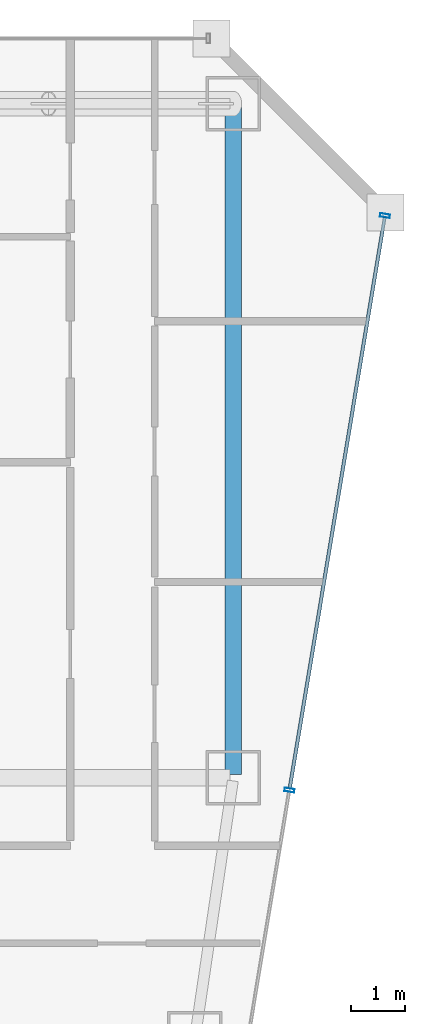
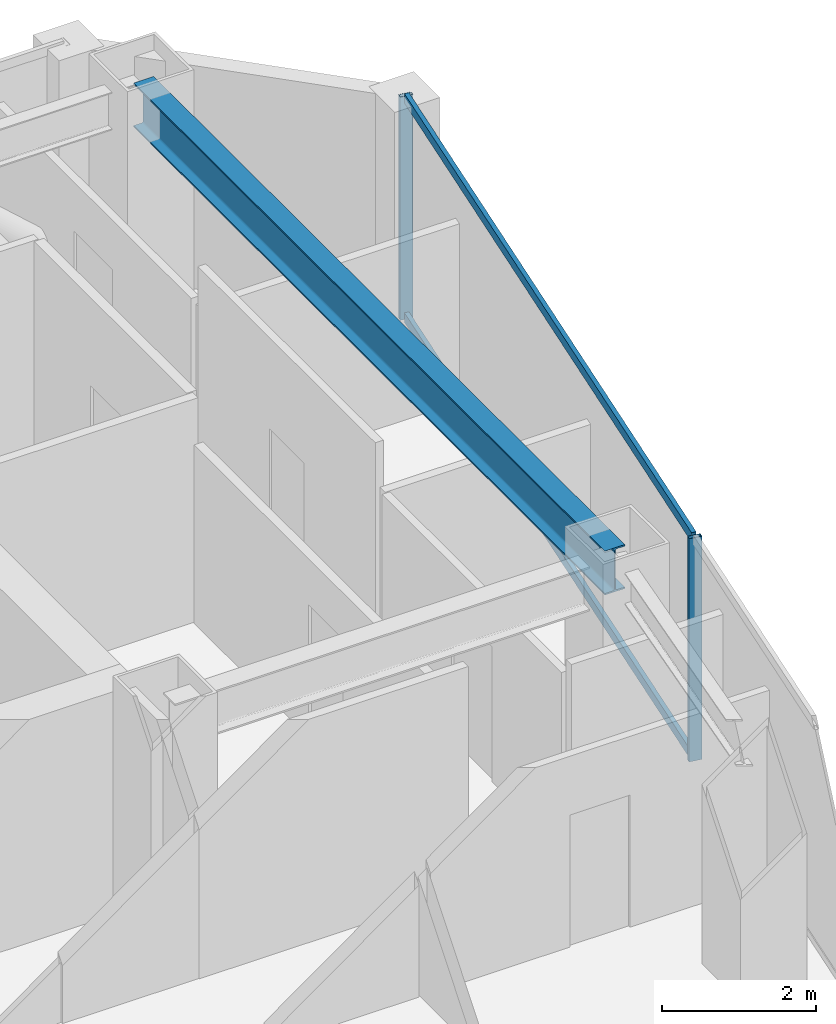
# One storey, part 26 of 36: 4 members, 1 beam, 1 element without a shape of its own.
"""IFC4 building model written with IfcOpenShell, lengths in metres."""

from ifc_helpers import new_model, si_unit, direction, frame, origin, origin_2d, place, context, subcontext, project, spatial, hollow_rectangle, i_section, extrude, material, material_profile, profile_set, type_object, element, aggregate, save


model = new_model("IFC4")

# Units and contexts
model_context = context("Model", 3, precision=1e-05, world=origin(), true_north=direction((0.0, 1.0)))
body_context = subcontext(model_context, "Body", "Model", "MODEL_VIEW")
ifc_project = project(units=[si_unit("LENGTHUNIT", "METRE"), si_unit("AREAUNIT", "SQUARE_METRE"), si_unit("VOLUMEUNIT", "CUBIC_METRE"), si_unit("PLANEANGLEUNIT", "RADIAN"), si_unit("MASSUNIT", "GRAM", prefix="KILO")], contexts=[model_context])

# Site, building, storey
site_placement = place(None, origin())
site = spatial("IfcSite", under=ifc_project, at=site_placement, CompositionType="ELEMENT")
building_placement = place(site_placement, origin())
building = spatial("IfcBuilding", under=site, at=building_placement, Name="Saevonmaru Cultural Tower", CompositionType="ELEMENT")
storey_placement = place(building_placement, frame((0.0, 0.0, 152.39990234375)))
storey = spatial("IfcBuildingStorey", under=building, at=storey_placement, Name="L33", CompositionType="ELEMENT", Elevation=152.39990234375)

# Beam
ifc_material_1 = material(Name="Steel SM355", Category="steel")
ifc_material_profile_1 = material_profile(ifc_material_1, i_section(OverallWidth=0.300048828125, OverallDepth=0.699951171875, WebThickness=0.012939453125, FlangeThickness=0.02392578125, FilletRadius=0.02587890625, at=origin_2d()), Name="H-700x300x13x24")
ifc_profile_set_1 = profile_set([ifc_material_profile_1], Name="Steel SM355")
beam_type = type_object("IfcBeamType", Name="BM-G-H700", PredefinedType="BEAM", material=ifc_profile_set_1)
beam_placement = place(storey_placement, frame((53.199951171875, 54.739990234375, 3.2001953125), z_axis=(0.0, -1.0, 0.0), x_axis=(1.0, 0.0, 0.0)))
element("IfcBeam", 1, at=beam_placement, inside=storey, type_object=beam_type, Name="L33 Spine Transverse Girder E", PredefinedType="BEAM", context=body_context, shape_type="SweptSolid", body=[
    extrude(i_section(OverallWidth=0.300048828125, OverallDepth=0.699951171875, WebThickness=0.012939453125, FlangeThickness=0.02392578125, FilletRadius=0.02587890625, at=origin_2d()), origin(), (0.0, 0.0, 1.0), 12.280029296875),
])

# Curtain wall, members
ifc_material_2 = material(Name="Satin Bronze Anodised Aluminium", Category="aluminium")
curtain_wall_type = type_object("IfcCurtainWallType", Name="CW-TYP-A", PredefinedType="NOTDEFINED", material=ifc_material_2)
curtain_wall_placement = place(storey_placement, origin())
curtain_wall = element("IfcCurtainWall", 2, at=curtain_wall_placement, inside=storey, type_object=curtain_wall_type, Name="L33 Unitised Curtain Wall E8", PredefinedType="NOTDEFINED")
ifc_material_profile_2 = material_profile(ifc_material_2, hollow_rectangle(XDim=0.06494140625, YDim=0.179931640625, WallThickness=0.00390625, at=origin_2d()), Name="ALU-MULL-180x65x4")
ifc_profile_set_2 = profile_set([ifc_material_profile_2], Name="Satin Bronze Anodised Aluminium")
member_type_1 = type_object("IfcMemberType", Name="ML-CW-180x65", PredefinedType="MULLION", material=ifc_profile_set_2)
member_1_placement = place(storey_placement, frame((54.23291015625, 42.17041015625, 0.0), z_axis=(0.0, 0.0, 1.0), x_axis=(0.163998702345, 0.986460554523, 0.0)))
member_1 = element("IfcMember", 3, at=member_1_placement, type_object=member_type_1, Name="CW-TW-L33-E8 mullion 4", PredefinedType="MULLION", context=body_context, shape_type="SweptSolid", body=[
    extrude(hollow_rectangle(XDim=0.06494140625, YDim=0.179931640625, WallThickness=0.00390625, at=origin_2d()), origin(), (0.0, 0.0, 1.0), 3.550048828125),
])
member_2_placement = place(storey_placement, frame((55.990234375, 52.74072265625, 0.0), z_axis=(0.0, 0.0, 1.0), x_axis=(0.163998702345, 0.986460554523, 0.0)))
member_2 = element("IfcMember", 4, at=member_2_placement, type_object=member_type_1, Name="CW-TW-L33-E8 mullion 5", PredefinedType="MULLION", context=body_context, shape_type="SweptSolid", body=[
    extrude(hollow_rectangle(XDim=0.06494140625, YDim=0.179931640625, WallThickness=0.00390625, at=origin_2d()), origin(), (0.0, 0.0, 1.0), 3.550048828125),
])
ifc_material_profile_3 = material_profile(ifc_material_2, hollow_rectangle(XDim=0.06494140625, YDim=0.14990234375, WallThickness=0.00390625, at=origin_2d()), Name="ALU-TRAN-150x65x4")
ifc_profile_set_3 = profile_set([ifc_material_profile_3], Name="Satin Bronze Anodised Aluminium")
member_type_2 = type_object("IfcMemberType", Name="TR-CW-150x65", PredefinedType="USERDEFINED", material=ifc_profile_set_3)
member_3_placement = place(storey_placement, frame((54.23828125, 42.202392578125, 0.03271484375), z_axis=(0.163990079074, 0.9864619881, 0.0), x_axis=(-0.9864619881, 0.163990079074, 0.0)))
member_3 = element("IfcMember", 5, at=member_3_placement, type_object=member_type_2, Name="CW-TW-L33-E8 transom 4.1", ObjectType="TRANSOM", PredefinedType="USERDEFINED", context=body_context, shape_type="SweptSolid", body=[
    extrude(hollow_rectangle(XDim=0.06494140625, YDim=0.14990234375, WallThickness=0.00390625, at=origin_2d()), origin(), (0.0, 0.0, 1.0), 10.650634765625),
])
member_4_placement = place(storey_placement, frame((54.23828125, 42.202392578125, 3.517578125), z_axis=(0.163990079074, 0.9864619881, 0.0), x_axis=(-0.9864619881, 0.163990079074, 0.0)))
member_4 = element("IfcMember", 6, at=member_4_placement, type_object=member_type_2, Name="CW-TW-L33-E8 transom 4.2", ObjectType="TRANSOM", PredefinedType="USERDEFINED", context=body_context, shape_type="SweptSolid", body=[
    extrude(hollow_rectangle(XDim=0.06494140625, YDim=0.14990234375, WallThickness=0.00390625, at=origin_2d()), origin(), (0.0, 0.0, 1.0), 10.650634765625),
])
aggregate(curtain_wall, [member_1, member_2, member_3, member_4])

save(model, "model.ifc")
